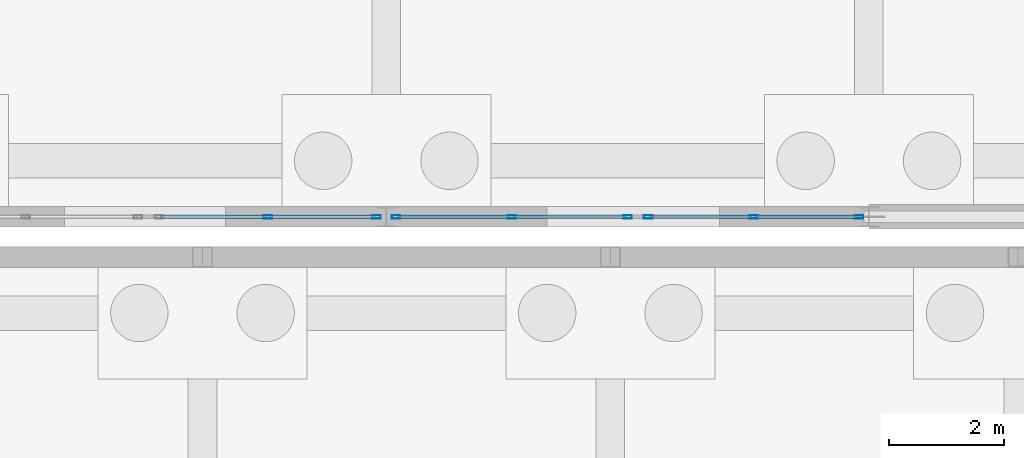
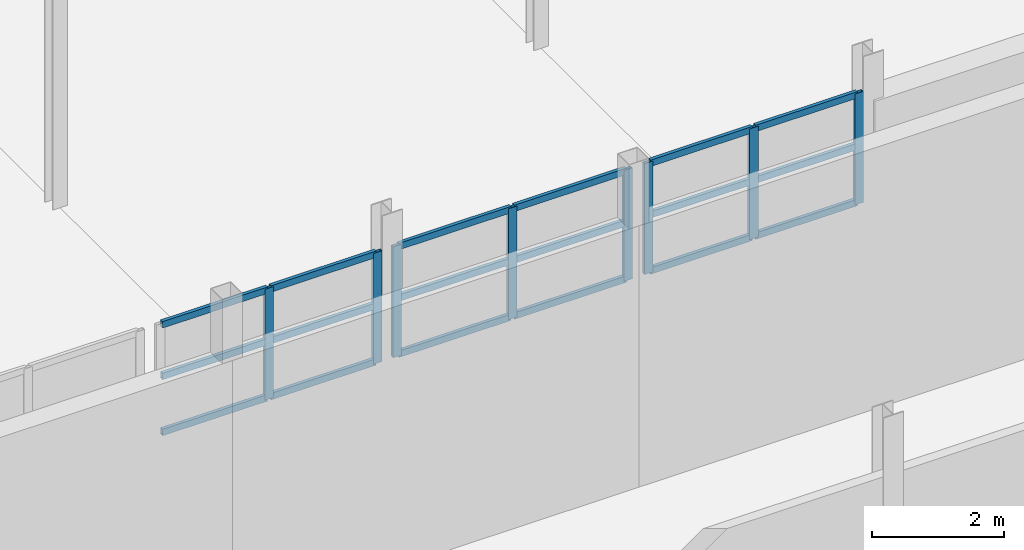
# One storey, part 85 of 139: 26 members, 3 elements without a shape of their own.
"""IFC4 building model written with IfcOpenShell, lengths in metres."""

from ifc_helpers import new_model, si_unit, direction, frame, origin, origin_2d, place, context, subcontext, project, spatial, hollow_rectangle, extrude, material, material_profile, profile_set, type_object, element, aggregate, save


model = new_model("IFC4")

# Units and contexts
model_context = context("Model", 3, precision=1e-05, world=origin(), true_north=direction((0.0, 1.0)))
body_context = subcontext(model_context, "Body", "Model", "MODEL_VIEW")
ifc_project = project(units=[si_unit("LENGTHUNIT", "METRE"), si_unit("AREAUNIT", "SQUARE_METRE"), si_unit("VOLUMEUNIT", "CUBIC_METRE"), si_unit("PLANEANGLEUNIT", "RADIAN"), si_unit("MASSUNIT", "GRAM", prefix="KILO")], contexts=[model_context])

# Site, building, storey
site_placement = place(None, origin())
site = spatial("IfcSite", under=ifc_project, at=site_placement, CompositionType="ELEMENT")
building_placement = place(site_placement, origin())
building = spatial("IfcBuilding", under=site, at=building_placement, Name="Kazenagashi Tramway Depot", CompositionType="ELEMENT")
storey_placement = place(building_placement, origin())
storey = spatial("IfcBuildingStorey", under=building, at=storey_placement, Name="L01", CompositionType="ELEMENT", Elevation=0.0)

# Curtain wall, members
ifc_material_1 = material(Name="Anodised Aluminium and Low-E Glazing", Category="aluminium")
curtain_wall_type_1 = type_object("IfcCurtainWallType", Name="CW-12", PredefinedType="USERDEFINED", material=ifc_material_1)
curtain_wall_1_placement = place(storey_placement, origin())
curtain_wall_1 = element("IfcCurtainWall", 1, at=curtain_wall_1_placement, inside=storey, type_object=curtain_wall_type_1, Name="Industrial Glazed Screen CW-12 CW-0048", ObjectType="GLAZED SCREEN", PredefinedType="USERDEFINED")
ifc_material_2 = material(Name="Anodised Aluminium", Category="aluminium")
ifc_material_profile_1 = material_profile(ifc_material_2, hollow_rectangle(XDim=0.06, YDim=0.15, WallThickness=0.004, at=origin_2d()), Name="RHS-150x60x4")
ifc_profile_set_1 = profile_set([ifc_material_profile_1], Name="Anodised Aluminium")
member_type_1 = type_object("IfcMemberType", Name="ML-01", PredefinedType="MULLION", material=ifc_profile_set_1)
member_1_placement = place(storey_placement, frame((168.735, 70.0, 3.2), z_axis=(0.0, 0.0, 1.0), x_axis=(0.0, 1.0, 0.0)))
member_1 = element("IfcMember", 2, at=member_1_placement, type_object=member_type_1, Name="CW-12 mullion 2", PredefinedType="MULLION", context=body_context, shape_type="SweptSolid", body=[
    extrude(hollow_rectangle(XDim=0.06, YDim=0.15, WallThickness=0.004, at=origin_2d()), origin(), (0.0, 0.0, 1.0), 2.047),
])
member_2_placement = place(storey_placement, frame((170.63, 70.0, 3.2), z_axis=(0.0, 0.0, 1.0), x_axis=(0.0, 1.0, 0.0)))
member_2 = element("IfcMember", 3, at=member_2_placement, type_object=member_type_1, Name="CW-12 mullion 3", PredefinedType="MULLION", context=body_context, shape_type="SweptSolid", body=[
    extrude(hollow_rectangle(XDim=0.06, YDim=0.15, WallThickness=0.004, at=origin_2d()), origin(), (0.0, 0.0, 1.0), 2.047),
])

curtain_wall_type_2 = type_object("IfcCurtainWallType", Name="CW-10", PredefinedType="USERDEFINED", material=ifc_material_1)
curtain_wall_2_placement = place(storey_placement, origin())
curtain_wall_2 = element("IfcCurtainWall", 4, at=curtain_wall_2_placement, inside=storey, type_object=curtain_wall_type_2, Name="Industrial Glazed Screen CW-10 CW-0050", ObjectType="GLAZED SCREEN", PredefinedType="USERDEFINED")
member_3_placement = place(storey_placement, frame((170.97, 70.0, 3.2), z_axis=(0.0, 0.0, 1.0), x_axis=(0.0, 1.0, 0.0)))
member_3 = element("IfcMember", 5, at=member_3_placement, type_object=member_type_1, Name="CW-10 mullion 1", PredefinedType="MULLION", context=body_context, shape_type="SweptSolid", body=[
    extrude(hollow_rectangle(XDim=0.06, YDim=0.15, WallThickness=0.004, at=origin_2d()), origin(), (0.0, 0.0, 1.0), 2.047),
])
member_4_placement = place(storey_placement, frame((172.985, 70.0, 3.2), z_axis=(0.0, 0.0, 1.0), x_axis=(0.0, 1.0, 0.0)))
member_4 = element("IfcMember", 6, at=member_4_placement, type_object=member_type_1, Name="CW-10 mullion 2", PredefinedType="MULLION", context=body_context, shape_type="SweptSolid", body=[
    extrude(hollow_rectangle(XDim=0.06, YDim=0.15, WallThickness=0.004, at=origin_2d()), origin(), (0.0, 0.0, 1.0), 2.047),
])
member_5_placement = place(storey_placement, frame((175.0, 70.0, 3.2), z_axis=(0.0, 0.0, 1.0), x_axis=(0.0, 1.0, 0.0)))
member_5 = element("IfcMember", 7, at=member_5_placement, type_object=member_type_1, Name="CW-10 mullion 3", PredefinedType="MULLION", context=body_context, shape_type="SweptSolid", body=[
    extrude(hollow_rectangle(XDim=0.06, YDim=0.15, WallThickness=0.004, at=origin_2d()), origin(), (0.0, 0.0, 1.0), 2.047),
])

curtain_wall_type_3 = type_object("IfcCurtainWallType", Name="CW-09", PredefinedType="USERDEFINED", material=ifc_material_1)
curtain_wall_3_placement = place(storey_placement, origin())
curtain_wall_3 = element("IfcCurtainWall", 8, at=curtain_wall_3_placement, inside=storey, type_object=curtain_wall_type_3, Name="Industrial Glazed Screen CW-09 CW-0051", ObjectType="GLAZED SCREEN", PredefinedType="USERDEFINED")
member_6_placement = place(storey_placement, frame((175.36, 70.0, 3.2), z_axis=(0.0, 0.0, 1.0), x_axis=(0.0, 1.0, 0.0)))
member_6 = element("IfcMember", 9, at=member_6_placement, type_object=member_type_1, Name="CW-09 mullion 1", PredefinedType="MULLION", context=body_context, shape_type="SweptSolid", body=[
    extrude(hollow_rectangle(XDim=0.06, YDim=0.15, WallThickness=0.004, at=origin_2d()), origin(), (0.0, 0.0, 1.0), 2.047),
])
member_7_placement = place(storey_placement, frame((177.195, 70.0, 3.2), z_axis=(0.0, 0.0, 1.0), x_axis=(0.0, 1.0, 0.0)))
member_7 = element("IfcMember", 10, at=member_7_placement, type_object=member_type_1, Name="CW-09 mullion 2", PredefinedType="MULLION", context=body_context, shape_type="SweptSolid", body=[
    extrude(hollow_rectangle(XDim=0.06, YDim=0.15, WallThickness=0.004, at=origin_2d()), origin(), (0.0, 0.0, 1.0), 2.047),
])
member_8_placement = place(storey_placement, frame((179.03, 70.0, 3.2), z_axis=(0.0, 0.0, 1.0), x_axis=(0.0, 1.0, 0.0)))
member_8 = element("IfcMember", 11, at=member_8_placement, type_object=member_type_1, Name="CW-09 mullion 3", PredefinedType="MULLION", context=body_context, shape_type="SweptSolid", body=[
    extrude(hollow_rectangle(XDim=0.06, YDim=0.15, WallThickness=0.004, at=origin_2d()), origin(), (0.0, 0.0, 1.0), 2.047),
])

# Member
ifc_material_profile_2 = material_profile(ifc_material_2, hollow_rectangle(XDim=0.06, YDim=0.12, WallThickness=0.004, at=origin_2d()), Name="RHS-120x60x4")
ifc_profile_set_2 = profile_set([ifc_material_profile_2], Name="Anodised Aluminium")
member_type_2 = type_object("IfcMemberType", Name="TR-01", PredefinedType="USERDEFINED", material=ifc_profile_set_2)
member_9_placement = place(storey_placement, frame((166.87, 70.0, 3.23), z_axis=(1.0, 0.0, 0.0), x_axis=(0.0, 1.0, 0.0)))
member_9 = element("IfcMember", 12, at=member_9_placement, type_object=member_type_2, Name="CW-12 transom 1.1", ObjectType="TRANSOM", PredefinedType="USERDEFINED", context=body_context, shape_type="SweptSolid", body=[
    extrude(hollow_rectangle(XDim=0.06, YDim=0.12, WallThickness=0.004, at=origin_2d()), origin(), (0.0, 0.0, 1.0), 1.835),
])

member_10_placement = place(storey_placement, frame((166.87, 70.0, 4.264), z_axis=(1.0, 0.0, 0.0), x_axis=(0.0, 1.0, 0.0)))
member_10 = element("IfcMember", 13, at=member_10_placement, type_object=member_type_2, Name="CW-12 transom 1.2", ObjectType="TRANSOM", PredefinedType="USERDEFINED", context=body_context, shape_type="SweptSolid", body=[
    extrude(hollow_rectangle(XDim=0.06, YDim=0.12, WallThickness=0.004, at=origin_2d()), origin(), (0.0, 0.0, 1.0), 1.835),
])

member_11_placement = place(storey_placement, frame((166.87, 70.0, 5.217), z_axis=(1.0, 0.0, 0.0), x_axis=(0.0, 1.0, 0.0)))
member_11 = element("IfcMember", 14, at=member_11_placement, type_object=member_type_2, Name="CW-12 transom 1.3", ObjectType="TRANSOM", PredefinedType="USERDEFINED", context=body_context, shape_type="SweptSolid", body=[
    extrude(hollow_rectangle(XDim=0.06, YDim=0.12, WallThickness=0.004, at=origin_2d()), origin(), (0.0, 0.0, 1.0), 1.835),
])

member_12_placement = place(storey_placement, frame((168.765, 70.0, 3.23), z_axis=(1.0, 0.0, 0.0), x_axis=(0.0, 1.0, 0.0)))
member_12 = element("IfcMember", 15, at=member_12_placement, type_object=member_type_2, Name="CW-12 transom 2.1", ObjectType="TRANSOM", PredefinedType="USERDEFINED", context=body_context, shape_type="SweptSolid", body=[
    extrude(hollow_rectangle(XDim=0.06, YDim=0.12, WallThickness=0.004, at=origin_2d()), origin(), (0.0, 0.0, 1.0), 1.835),
])

member_13_placement = place(storey_placement, frame((168.765, 70.0, 4.264), z_axis=(1.0, 0.0, 0.0), x_axis=(0.0, 1.0, 0.0)))
member_13 = element("IfcMember", 16, at=member_13_placement, type_object=member_type_2, Name="CW-12 transom 2.2", ObjectType="TRANSOM", PredefinedType="USERDEFINED", context=body_context, shape_type="SweptSolid", body=[
    extrude(hollow_rectangle(XDim=0.06, YDim=0.12, WallThickness=0.004, at=origin_2d()), origin(), (0.0, 0.0, 1.0), 1.835),
])

member_14_placement = place(storey_placement, frame((168.765, 70.0, 5.217), z_axis=(1.0, 0.0, 0.0), x_axis=(0.0, 1.0, 0.0)))
member_14 = element("IfcMember", 17, at=member_14_placement, type_object=member_type_2, Name="CW-12 transom 2.3", ObjectType="TRANSOM", PredefinedType="USERDEFINED", context=body_context, shape_type="SweptSolid", body=[
    extrude(hollow_rectangle(XDim=0.06, YDim=0.12, WallThickness=0.004, at=origin_2d()), origin(), (0.0, 0.0, 1.0), 1.835),
])

aggregate(curtain_wall_1, [member_1, member_2, member_9, member_10, member_11, member_12, member_13, member_14])

member_15_placement = place(storey_placement, frame((171.0, 70.0, 3.23), z_axis=(1.0, 0.0, 0.0), x_axis=(0.0, 1.0, 0.0)))
member_15 = element("IfcMember", 18, at=member_15_placement, type_object=member_type_2, Name="CW-10 transom 1.1", ObjectType="TRANSOM", PredefinedType="USERDEFINED", context=body_context, shape_type="SweptSolid", body=[
    extrude(hollow_rectangle(XDim=0.06, YDim=0.12, WallThickness=0.004, at=origin_2d()), origin(), (0.0, 0.0, 1.0), 1.955),
])

member_16_placement = place(storey_placement, frame((171.0, 70.0, 4.264), z_axis=(1.0, 0.0, 0.0), x_axis=(0.0, 1.0, 0.0)))
member_16 = element("IfcMember", 19, at=member_16_placement, type_object=member_type_2, Name="CW-10 transom 1.2", ObjectType="TRANSOM", PredefinedType="USERDEFINED", context=body_context, shape_type="SweptSolid", body=[
    extrude(hollow_rectangle(XDim=0.06, YDim=0.12, WallThickness=0.004, at=origin_2d()), origin(), (0.0, 0.0, 1.0), 1.955),
])

member_17_placement = place(storey_placement, frame((171.0, 70.0, 5.217), z_axis=(1.0, 0.0, 0.0), x_axis=(0.0, 1.0, 0.0)))
member_17 = element("IfcMember", 20, at=member_17_placement, type_object=member_type_2, Name="CW-10 transom 1.3", ObjectType="TRANSOM", PredefinedType="USERDEFINED", context=body_context, shape_type="SweptSolid", body=[
    extrude(hollow_rectangle(XDim=0.06, YDim=0.12, WallThickness=0.004, at=origin_2d()), origin(), (0.0, 0.0, 1.0), 1.955),
])

member_18_placement = place(storey_placement, frame((173.015, 70.0, 3.23), z_axis=(1.0, 0.0, 0.0), x_axis=(0.0, 1.0, 0.0)))
member_18 = element("IfcMember", 21, at=member_18_placement, type_object=member_type_2, Name="CW-10 transom 2.1", ObjectType="TRANSOM", PredefinedType="USERDEFINED", context=body_context, shape_type="SweptSolid", body=[
    extrude(hollow_rectangle(XDim=0.06, YDim=0.12, WallThickness=0.004, at=origin_2d()), origin(), (0.0, 0.0, 1.0), 1.955),
])

member_19_placement = place(storey_placement, frame((173.015, 70.0, 4.264), z_axis=(1.0, 0.0, 0.0), x_axis=(0.0, 1.0, 0.0)))
member_19 = element("IfcMember", 22, at=member_19_placement, type_object=member_type_2, Name="CW-10 transom 2.2", ObjectType="TRANSOM", PredefinedType="USERDEFINED", context=body_context, shape_type="SweptSolid", body=[
    extrude(hollow_rectangle(XDim=0.06, YDim=0.12, WallThickness=0.004, at=origin_2d()), origin(), (0.0, 0.0, 1.0), 1.955),
])

member_20_placement = place(storey_placement, frame((173.015, 70.0, 5.217), z_axis=(1.0, 0.0, 0.0), x_axis=(0.0, 1.0, 0.0)))
member_20 = element("IfcMember", 23, at=member_20_placement, type_object=member_type_2, Name="CW-10 transom 2.3", ObjectType="TRANSOM", PredefinedType="USERDEFINED", context=body_context, shape_type="SweptSolid", body=[
    extrude(hollow_rectangle(XDim=0.06, YDim=0.12, WallThickness=0.004, at=origin_2d()), origin(), (0.0, 0.0, 1.0), 1.955),
])

aggregate(curtain_wall_2, [member_3, member_4, member_5, member_15, member_16, member_17, member_18, member_19, member_20])

member_21_placement = place(storey_placement, frame((175.39, 70.0, 3.23), z_axis=(1.0, 0.0, 0.0), x_axis=(0.0, 1.0, 0.0)))
member_21 = element("IfcMember", 24, at=member_21_placement, type_object=member_type_2, Name="CW-09 transom 1.1", ObjectType="TRANSOM", PredefinedType="USERDEFINED", context=body_context, shape_type="SweptSolid", body=[
    extrude(hollow_rectangle(XDim=0.06, YDim=0.12, WallThickness=0.004, at=origin_2d()), origin(), (0.0, 0.0, 1.0), 1.775),
])

member_22_placement = place(storey_placement, frame((175.39, 70.0, 4.264), z_axis=(1.0, 0.0, 0.0), x_axis=(0.0, 1.0, 0.0)))
member_22 = element("IfcMember", 25, at=member_22_placement, type_object=member_type_2, Name="CW-09 transom 1.2", ObjectType="TRANSOM", PredefinedType="USERDEFINED", context=body_context, shape_type="SweptSolid", body=[
    extrude(hollow_rectangle(XDim=0.06, YDim=0.12, WallThickness=0.004, at=origin_2d()), origin(), (0.0, 0.0, 1.0), 1.775),
])

member_23_placement = place(storey_placement, frame((175.39, 70.0, 5.217), z_axis=(1.0, 0.0, 0.0), x_axis=(0.0, 1.0, 0.0)))
member_23 = element("IfcMember", 26, at=member_23_placement, type_object=member_type_2, Name="CW-09 transom 1.3", ObjectType="TRANSOM", PredefinedType="USERDEFINED", context=body_context, shape_type="SweptSolid", body=[
    extrude(hollow_rectangle(XDim=0.06, YDim=0.12, WallThickness=0.004, at=origin_2d()), origin(), (0.0, 0.0, 1.0), 1.775),
])

member_24_placement = place(storey_placement, frame((177.225, 70.0, 3.23), z_axis=(1.0, 0.0, 0.0), x_axis=(0.0, 1.0, 0.0)))
member_24 = element("IfcMember", 27, at=member_24_placement, type_object=member_type_2, Name="CW-09 transom 2.1", ObjectType="TRANSOM", PredefinedType="USERDEFINED", context=body_context, shape_type="SweptSolid", body=[
    extrude(hollow_rectangle(XDim=0.06, YDim=0.12, WallThickness=0.004, at=origin_2d()), origin(), (0.0, 0.0, 1.0), 1.775),
])

member_25_placement = place(storey_placement, frame((177.225, 70.0, 4.264), z_axis=(1.0, 0.0, 0.0), x_axis=(0.0, 1.0, 0.0)))
member_25 = element("IfcMember", 28, at=member_25_placement, type_object=member_type_2, Name="CW-09 transom 2.2", ObjectType="TRANSOM", PredefinedType="USERDEFINED", context=body_context, shape_type="SweptSolid", body=[
    extrude(hollow_rectangle(XDim=0.06, YDim=0.12, WallThickness=0.004, at=origin_2d()), origin(), (0.0, 0.0, 1.0), 1.775),
])

member_26_placement = place(storey_placement, frame((177.225, 70.0, 5.217), z_axis=(1.0, 0.0, 0.0), x_axis=(0.0, 1.0, 0.0)))
member_26 = element("IfcMember", 29, at=member_26_placement, type_object=member_type_2, Name="CW-09 transom 2.3", ObjectType="TRANSOM", PredefinedType="USERDEFINED", context=body_context, shape_type="SweptSolid", body=[
    extrude(hollow_rectangle(XDim=0.06, YDim=0.12, WallThickness=0.004, at=origin_2d()), origin(), (0.0, 0.0, 1.0), 1.775),
])

aggregate(curtain_wall_3, [member_6, member_7, member_8, member_21, member_22, member_23, member_24, member_25, member_26])

save(model, "model.ifc")
